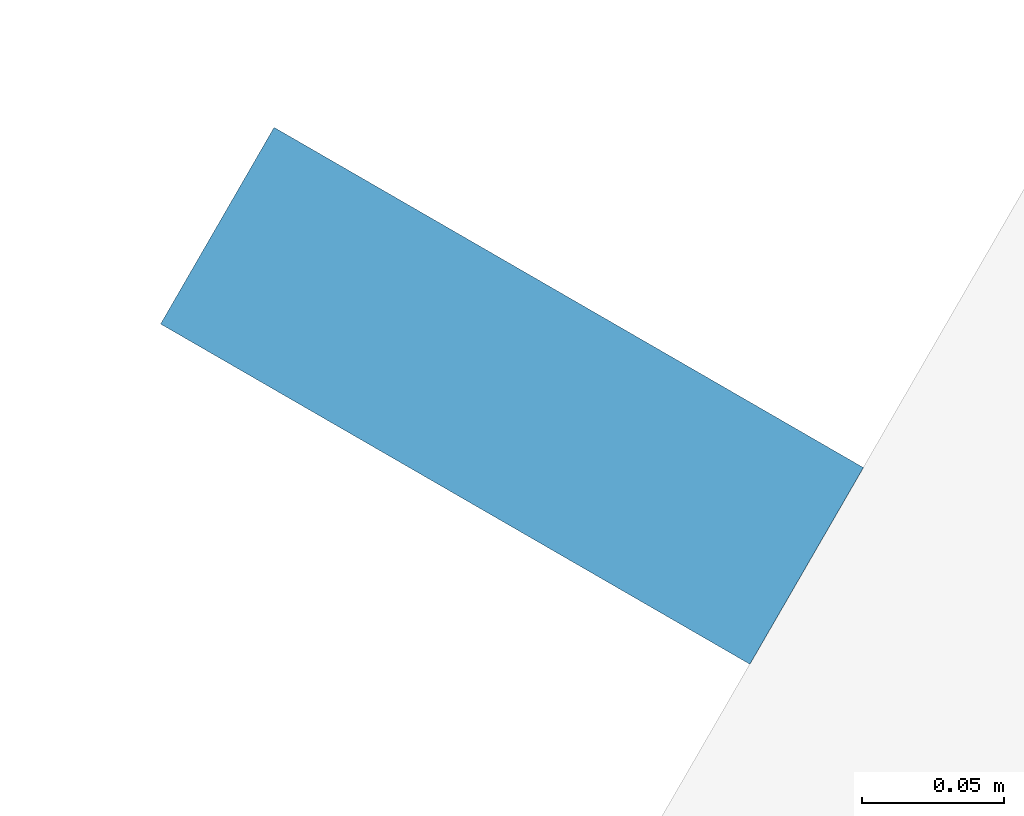
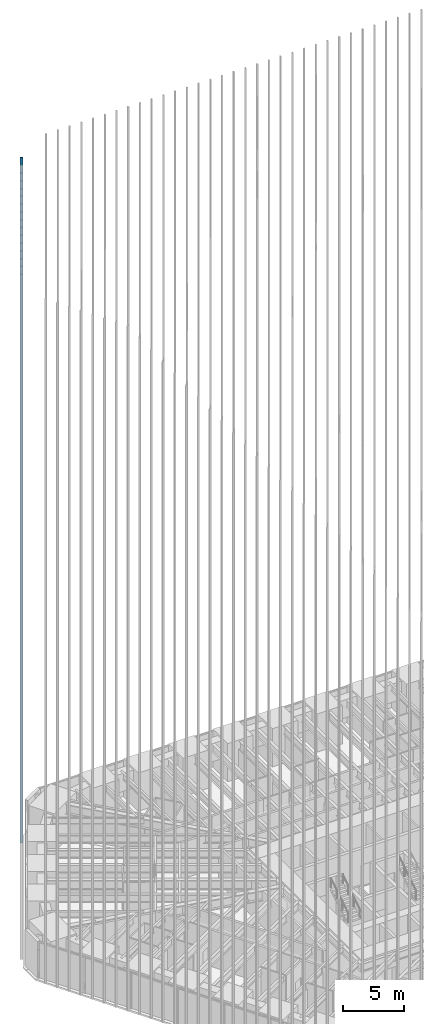
# One storey, part 159 of 256: 1 member, 1 element without a shape of its own.
"""IFC4 building model written with IfcOpenShell, lengths in metres."""

from ifc_helpers import new_model, si_unit, direction, frame, origin, origin_2d, place, context, subcontext, project, spatial, rectangle, extrude, material, material_profile, profile_set, type_object, element, aggregate, save


model = new_model("IFC4")

# Units and contexts
model_context = context("Model", 3, precision=1e-05, world=origin(), true_north=direction((0.0, 1.0)))
body_context = subcontext(model_context, "Body", "Model", "MODEL_VIEW")
ifc_project = project(units=[si_unit("LENGTHUNIT", "METRE"), si_unit("AREAUNIT", "SQUARE_METRE"), si_unit("VOLUMEUNIT", "CUBIC_METRE"), si_unit("PLANEANGLEUNIT", "RADIAN"), si_unit("MASSUNIT", "GRAM", prefix="KILO")], contexts=[model_context])

# Site, building, storey
site_placement = place(None, origin())
site = spatial("IfcSite", under=ifc_project, at=site_placement, CompositionType="ELEMENT")
building_placement = place(site_placement, origin())
building = spatial("IfcBuilding", under=site, at=building_placement, Name="Sandreach Pilgrim Tower", CompositionType="ELEMENT")
storey_placement = place(building_placement, frame((0.0, 0.0, 23.0)))
storey = spatial("IfcBuildingStorey", under=building, at=storey_placement, Name="L04", CompositionType="ELEMENT", Elevation=23.0)

# Curtain wall, member
ifc_material_1 = material(Name="Aluminium framed curtain wall", Category="aluminium")
curtain_wall_type = type_object("IfcCurtainWallType", Name="Hostel tower curtain wall", PredefinedType="NOTDEFINED", material=ifc_material_1)
curtain_wall_placement = place(storey_placement, origin())
curtain_wall = element("IfcCurtainWall", 1, at=curtain_wall_placement, inside=storey, type_object=curtain_wall_type, Name="CW-1 L04 NW", PredefinedType="NOTDEFINED")
ifc_material_2 = material(Name="Extruded terracotta on aluminium core", Category="masonry")
ifc_material_profile = material_profile(ifc_material_2, rectangle(XDim=0.080078125, YDim=0.239990234375, at=origin_2d()), Name="TBW 80X240")
ifc_profile_set = profile_set([ifc_material_profile], Name="Extruded terracotta on aluminium core")
member_type = type_object("IfcMemberType", Name="Terracotta baguette west", PredefinedType="USERDEFINED", material=ifc_profile_set)
member_placement = place(storey_placement, frame((-22.200439453125, 22.409423828125, 0.0), z_axis=(0.0, 0.0, 1.0), x_axis=(0.5, 0.866025403784, 0.0)))
member = element("IfcMember", 2, at=member_placement, type_object=member_type, Name="Baguette Z1 NW16", ObjectType="BAGUETTE", PredefinedType="USERDEFINED", context=body_context, shape_type="SweptSolid", body=[
    extrude(rectangle(XDim=0.080078125, YDim=0.239990234375, at=origin_2d()), origin(), (0.0, 0.0, 1.0), 68.239990234375),
])
aggregate(curtain_wall, [member])

save(model, "model.ifc")
